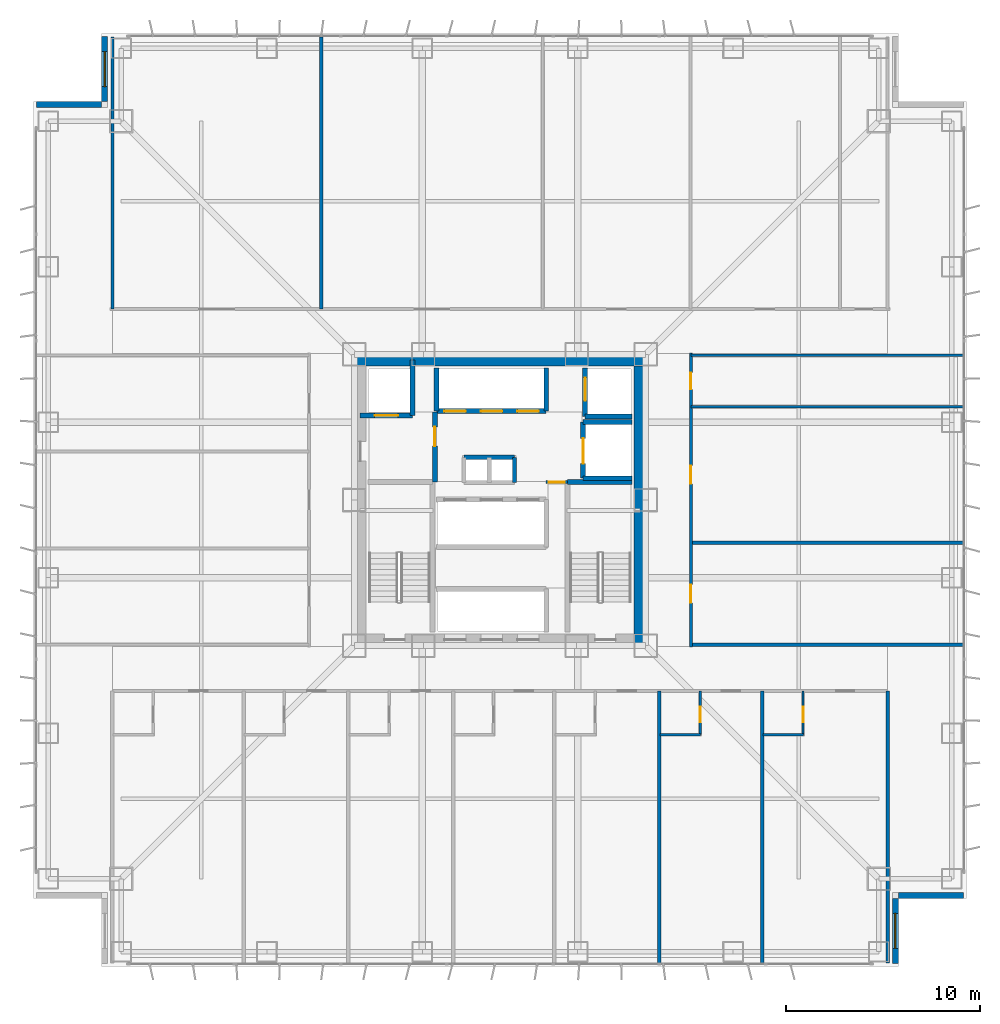
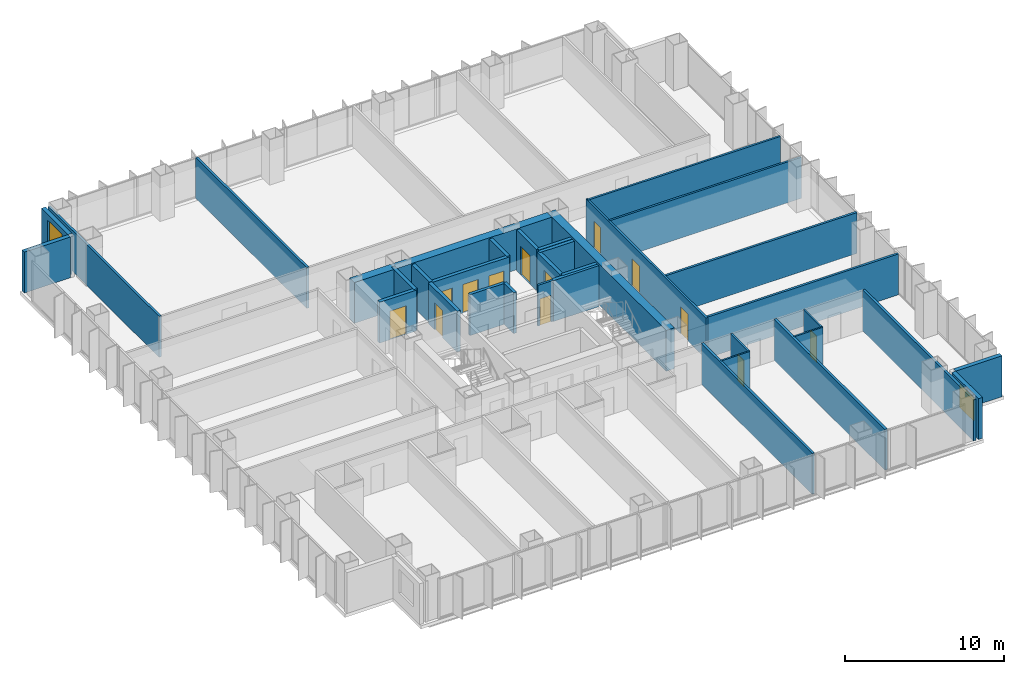
# One storey, part 15 of 19: 35 walls, 13 doors, 2 windows, 15 openings.
"""IFC4 building model written with IfcOpenShell, lengths in metres."""

from ifc_helpers import new_model, si_unit, direction, frame, frame_2d, origin, place, context, subcontext, project, spatial, rectangle, extrude, material, layer, layer_set, type_object, element, fill, save


model = new_model("IFC4")

# Units and contexts
model_context = context("Model", 3, precision=1e-05, world=origin(), true_north=direction((0.0, 1.0)))
body_context = subcontext(model_context, "Body", "Model", "MODEL_VIEW")
ifc_project = project(units=[si_unit("LENGTHUNIT", "METRE"), si_unit("AREAUNIT", "SQUARE_METRE"), si_unit("VOLUMEUNIT", "CUBIC_METRE"), si_unit("PLANEANGLEUNIT", "RADIAN"), si_unit("MASSUNIT", "GRAM", prefix="KILO")], contexts=[model_context])

# Site, building, storey
site_placement = place(None, origin())
site = spatial("IfcSite", under=ifc_project, at=site_placement, CompositionType="ELEMENT")
building_placement = place(site_placement, origin())
building = spatial("IfcBuilding", under=site, at=building_placement, Name="Trevonay Congress Spire", CompositionType="ELEMENT")
storey_placement = place(building_placement, frame((0.0, 0.0, 79.5)))
storey = spatial("IfcBuildingStorey", under=building, at=storey_placement, Name="L20", CompositionType="ELEMENT", Elevation=79.5)

# Wall, opening, door
ifc_material_1 = material(Name="Concrete C40/50", Category="concrete")
ifc_layer_1 = layer(ifc_material_1, 0.1201171875, Name="Concrete C40/50")
ifc_layer_set_1 = layer_set([ifc_layer_1], Name="Concrete C40/50")
wall_type_1 = type_object("IfcWallType", Name="WAL-BATH-120", PredefinedType="PLUMBINGWALL", material=ifc_layer_set_1)
wall_1_placement = place(storey_placement, frame((10.300048828125, -12.080078125, 0.0), z_axis=(0.0, 0.0, 1.0), x_axis=(0.0, 1.0, 0.0)))
wall_1 = element("IfcWall", 1, at=wall_1_placement, inside=storey, type_object=wall_type_1, Name="L20 interior wall WH-L20S-BS6", PredefinedType="PLUMBINGWALL", context=body_context, shape_type="SweptSolid", body=[
    extrude(rectangle(XDim=2.25, YDim=0.1201171875, at=frame_2d((1.125, 0.0))), origin(), (0.0, 0.0, 1.0), 3.14990234375),
])
opening_1_placement = place(wall_1_placement, frame((0.64990234375, 0.0, 0.0)))
opening_1 = element("IfcOpeningElement", 2, at=opening_1_placement, cuts=wall_1, Name="Opening D11", PredefinedType="OPENING", context=body_context, shape_type="SweptSolid", body=[
    extrude(rectangle(XDim=0.800048828125, YDim=2.050048828125, at=frame_2d((0.39990234375, 1.02490234375))), frame((0.0, 0.070068359375, 0.0), z_axis=(0.0, -1.0, 0.0), x_axis=(1.0, 0.0, 0.0)), (0.0, 0.0, 1.0), 0.14013671875),
])
ifc_material_2 = material(Name="Pale Anodised Aluminium EN AW-6063-T6", Category="aluminium")
door_type_1 = type_object("IfcDoorType", Name="DOR-BATH-80", OperationType="NOTDEFINED", PredefinedType="DOOR", material=ifc_material_2)
door_1_placement = place(opening_1_placement, origin())
door_1 = element("IfcDoor", 3, at=door_1_placement, inside=storey, type_object=door_type_1, Name="L20 En-suite Bathroom Door", OperationType="SINGLE_SWING_RIGHT", OverallHeight=2.050048828125, OverallWidth=0.800048828125, PredefinedType="DOOR", context=body_context, shape_type="SweptSolid", body=[
    extrude(rectangle(XDim=0.800048828125, YDim=2.050048828125, at=frame_2d((0.39990234375, 1.02490234375))), frame((0.0, 0.02490234375, 0.0), z_axis=(0.0, -1.0, 0.0), x_axis=(1.0, 0.0, 0.0)), (0.0, 0.0, 1.0), 0.050048828125),
])
fill(opening_1, door_1)

# Wall
wall_2_placement = place(storey_placement, frame((8.22998046875, -12.080078125, 0.0), z_axis=(0.0, 0.0, 1.0), x_axis=(1.0, 0.0, 0.0)))
element("IfcWall", 4, at=wall_2_placement, inside=storey, type_object=wall_type_1, Name="L20 interior wall WH-L20S-BF6", PredefinedType="PLUMBINGWALL", context=body_context, shape_type="SweptSolid", body=[
    extrude(rectangle(XDim=2.10009765625, YDim=0.1201171875, at=frame_2d((1.050048828125, 0.0))), origin(), (0.0, 0.0, 1.0), 3.14990234375),
])

# Wall, opening, door
wall_3_placement = place(storey_placement, frame((15.60009765625, -12.080078125, 0.0), z_axis=(0.0, 0.0, 1.0), x_axis=(0.0, 1.0, 0.0)))
wall_3 = element("IfcWall", 5, at=wall_3_placement, inside=storey, type_object=wall_type_1, Name="L20 interior wall WH-L20S-BS7", PredefinedType="PLUMBINGWALL", context=body_context, shape_type="SweptSolid", body=[
    extrude(rectangle(XDim=2.25, YDim=0.1201171875, at=frame_2d((1.125, 0.0))), origin(), (0.0, 0.0, 1.0), 3.14990234375),
])
opening_2_placement = place(wall_3_placement, frame((0.64990234375, 0.0, 0.0)))
opening_2 = element("IfcOpeningElement", 6, at=opening_2_placement, cuts=wall_3, Name="Opening D11", PredefinedType="OPENING", context=body_context, shape_type="SweptSolid", body=[
    extrude(rectangle(XDim=0.800048828125, YDim=2.050048828125, at=frame_2d((0.39990234375, 1.02490234375))), frame((0.0, 0.070068359375, 0.0), z_axis=(0.0, -1.0, 0.0), x_axis=(1.0, 0.0, 0.0)), (0.0, 0.0, 1.0), 0.14013671875),
])
door_2_placement = place(opening_2_placement, origin())
door_2 = element("IfcDoor", 7, at=door_2_placement, inside=storey, type_object=door_type_1, Name="L20 En-suite Bathroom Door", OperationType="SINGLE_SWING_LEFT", OverallHeight=2.050048828125, OverallWidth=0.800048828125, PredefinedType="DOOR", context=body_context, shape_type="SweptSolid", body=[
    extrude(rectangle(XDim=0.800048828125, YDim=2.050048828125, at=frame_2d((0.39990234375, 1.02490234375))), frame((0.0, 0.02490234375, 0.0), z_axis=(0.0, -1.0, 0.0), x_axis=(1.0, 0.0, 0.0)), (0.0, 0.0, 1.0), 0.050048828125),
])
fill(opening_2, door_2)

# Walls
wall_4_placement = place(storey_placement, frame((13.530029296875, -12.080078125, 0.0), z_axis=(0.0, 0.0, 1.0), x_axis=(1.0, 0.0, 0.0)))
element("IfcWall", 8, at=wall_4_placement, inside=storey, type_object=wall_type_1, Name="L20 interior wall WH-L20S-BF7", PredefinedType="PLUMBINGWALL", context=body_context, shape_type="SweptSolid", body=[
    extrude(rectangle(XDim=2.099853515625, YDim=0.1201171875, at=frame_2d((1.0498046875, 0.0))), origin(), (0.0, 0.0, 1.0), 3.14990234375),
])
ifc_material_3 = material(Name="Concrete C60/75", Category="concrete")
ifc_layer_2 = layer(ifc_material_3, 0.60009765625, Name="Concrete C60/75")
ifc_layer_set_2 = layer_set([ifc_layer_2], Name="Concrete C60/75")
wall_type_2 = type_object("IfcWallType", Name="WAL-CORE-600", PredefinedType="SHEAR", material=ifc_layer_set_2)
for number, where, z_axis, x_axis, name in (
    (9, (-7.5, 7.199951171875, 0.0), (0.0, 0.0, 1.0), (1.0, 0.0, 0.0), "L20 North structural core shear wall"),
    (10, (7.199951171875, -7.5, 0.0), (0.0, 0.0, 1.0), (0.0, 1.0, 0.0), "L20 East structural core shear wall"),
):
    element("IfcWall", number, at=place(storey_placement, frame(where, z_axis=z_axis, x_axis=x_axis)), inside=storey, type_object=wall_type_2, Name=name, PredefinedType="SHEAR", context=body_context, shape_type="SweptSolid", body=[
        extrude(rectangle(XDim=15.0, YDim=0.60009765625, at=frame_2d((7.5, 0.0))), origin(), (0.0, 0.0, 1.0), 3.14990234375),
    ])

# Wall, openings, doors
ifc_layer_3 = layer(ifc_material_1, 0.14990234375, Name="Concrete C40/50")
ifc_layer_set_3 = layer_set([ifc_layer_3], Name="Concrete C40/50")
wall_type_3 = type_object("IfcWallType", Name="WAL-CORR-150", PredefinedType="PARTITIONING", material=ifc_layer_set_3)
wall_5_placement = place(storey_placement, frame((9.830078125, -7.570068359375, 0.0), z_axis=(0.0, 0.0, 1.0), x_axis=(0.0, 1.0, 0.0)))
wall_5 = element("IfcWall", 11, at=wall_5_placement, inside=storey, type_object=wall_type_3, Name="L20 interior wall WP-L20E-COR", PredefinedType="PARTITIONING", context=body_context, shape_type="SweptSolid", body=[
    extrude(rectangle(XDim=15.14013671875, YDim=0.14990234375, at=frame_2d((7.570068359375, 0.0))), origin(), (0.0, 0.0, 1.0), 3.14990234375),
])
opening_3_placement = place(wall_5_placement, frame((2.27001953125, 0.0, 0.0)))
opening_3 = element("IfcOpeningElement", 12, at=opening_3_placement, cuts=wall_5, Name="Opening D07", PredefinedType="OPENING", context=body_context, shape_type="SweptSolid", body=[
    extrude(rectangle(XDim=0.949951171875, YDim=2.06005859375, at=frame_2d((0.47509765625, 1.030029296875))), frame((0.0, 0.0849609375, 0.0), z_axis=(0.0, -1.0, 0.0), x_axis=(1.0, 0.0, 0.0)), (0.0, 0.0, 1.0), 0.169921875),
])
opening_4_placement = place(wall_5_placement, frame((8.39501953125, 0.0, 0.0)))
opening_4 = element("IfcOpeningElement", 13, at=opening_4_placement, cuts=wall_5, Name="Opening D07", PredefinedType="OPENING", context=body_context, shape_type="SweptSolid", body=[
    extrude(rectangle(XDim=0.949951171875, YDim=2.06005859375, at=frame_2d((0.47509765625, 1.030029296875))), frame((0.0, 0.0849609375, 0.0), z_axis=(0.0, -1.0, 0.0), x_axis=(1.0, 0.0, 0.0)), (0.0, 0.0, 1.0), 0.169921875),
])
opening_5_placement = place(wall_5_placement, frame((13.27001953125, 0.0, 0.0)))
opening_5 = element("IfcOpeningElement", 14, at=opening_5_placement, cuts=wall_5, Name="Opening D10", PredefinedType="OPENING", context=body_context, shape_type="SweptSolid", body=[
    extrude(rectangle(XDim=0.85009765625, YDim=2.050048828125, at=frame_2d((0.425048828125, 1.02490234375))), frame((0.0, 0.0849609375, 0.0), z_axis=(0.0, -1.0, 0.0), x_axis=(1.0, 0.0, 0.0)), (0.0, 0.0, 1.0), 0.169921875),
])
door_type_2 = type_object("IfcDoorType", Name="DOR-OFFICE-95", OperationType="NOTDEFINED", PredefinedType="DOOR", material=ifc_material_2)
door_3_placement = place(opening_3_placement, origin())
door_3 = element("IfcDoor", 15, at=door_3_placement, inside=storey, type_object=door_type_2, Name="L20 Housekeeping and Linen Room Door", OperationType="SINGLE_SWING_LEFT", OverallHeight=2.06005859375, OverallWidth=0.949951171875, PredefinedType="DOOR", context=body_context, shape_type="SweptSolid", body=[
    extrude(rectangle(XDim=0.949951171875, YDim=2.06005859375, at=frame_2d((0.47509765625, 1.030029296875))), frame((0.0, 0.02490234375, 0.0), z_axis=(0.0, -1.0, 0.0), x_axis=(1.0, 0.0, 0.0)), (0.0, 0.0, 1.0), 0.050048828125),
])
fill(opening_3, door_3)
door_4_placement = place(opening_4_placement, origin())
door_4 = element("IfcDoor", 16, at=door_4_placement, inside=storey, type_object=door_type_2, Name="L20 Penthouse Wine Pantry Door", OperationType="SINGLE_SWING_RIGHT", OverallHeight=2.06005859375, OverallWidth=0.949951171875, PredefinedType="DOOR", context=body_context, shape_type="SweptSolid", body=[
    extrude(rectangle(XDim=0.949951171875, YDim=2.06005859375, at=frame_2d((0.47509765625, 1.030029296875))), frame((0.0, 0.02490234375, 0.0), z_axis=(0.0, -1.0, 0.0), x_axis=(1.0, 0.0, 0.0)), (0.0, 0.0, 1.0), 0.050048828125),
])
fill(opening_4, door_4)
door_type_3 = type_object("IfcDoorType", Name="DOR-WC-85", OperationType="NOTDEFINED", PredefinedType="DOOR", material=ifc_material_2)
door_5_placement = place(opening_5_placement, origin())
door_5 = element("IfcDoor", 17, at=door_5_placement, inside=storey, type_object=door_type_3, Name="L20 Staff Restroom WC Door", OperationType="SINGLE_SWING_LEFT", OverallHeight=2.050048828125, OverallWidth=0.85009765625, PredefinedType="DOOR", context=body_context, shape_type="SweptSolid", body=[
    extrude(rectangle(XDim=0.85009765625, YDim=2.050048828125, at=frame_2d((0.425048828125, 1.02490234375))), frame((0.0, 0.02490234375, 0.0), z_axis=(0.0, -1.0, 0.0), x_axis=(1.0, 0.0, 0.0)), (0.0, 0.0, 1.0), 0.050048828125),
])
fill(opening_5, door_5)

# Wall, opening, window
ifc_material_4 = material(Name="Precast concrete C40/50", Category="concrete")
ifc_layer_4 = layer(ifc_material_4, 0.300048828125, Name="Precast concrete C40/50")
ifc_layer_set_4 = layer_set([ifc_layer_4], Name="Precast concrete C40/50")
wall_type_4 = type_object("IfcWallType", Name="WAL-EXT-PRECAST-300", PredefinedType="SOLIDWALL", material=ifc_layer_set_4)
wall_6_placement = place(storey_placement, frame((20.35009765625, -23.85009765625, 0.0), z_axis=(0.0, 0.0, 1.0), x_axis=(0.0, 1.0, 0.0)))
wall_6 = element("IfcWall", 18, at=wall_6_placement, inside=storey, type_object=wall_type_4, Name="L20 SE re-entrant notch exterior wall 1", PredefinedType="SOLIDWALL", context=body_context, shape_type="SweptSolid", body=[
    extrude(rectangle(XDim=3.35009765625, YDim=0.300048828125, at=frame_2d((1.675048828125, 0.0))), origin(), (0.0, 0.0, 1.0), 3.14990234375),
])
opening_6_placement = place(wall_6_placement, frame((0.77490234375, 0.0, 0.89990234375)))
opening_6 = element("IfcOpeningElement", 19, at=opening_6_placement, cuts=wall_6, Name="Opening WN01", PredefinedType="OPENING", context=body_context, shape_type="SweptSolid", body=[
    extrude(rectangle(XDim=1.800048828125, YDim=1.800048828125, at=frame_2d((0.89990234375, 0.89990234375))), frame((0.0, 0.16015625, 0.0), z_axis=(0.0, -1.0, 0.0), x_axis=(1.0, 0.0, 0.0)), (0.0, 0.0, 1.0), 0.320068359375),
])
ifc_material_5 = material(Name="Insulated Low-E Vision Glass IGU", Category="glass")
window_type = type_object("IfcWindowType", Name="WIN-HOTEL-180X180", PartitioningType="SINGLE_PANEL", PredefinedType="WINDOW", material=ifc_material_5)
window_1_placement = place(opening_6_placement, origin())
window_1 = element("IfcWindow", 20, at=window_1_placement, inside=storey, type_object=window_type, Name="L20 SE corner notch window", OverallHeight=1.800048828125, OverallWidth=1.800048828125, PartitioningType="SINGLE_PANEL", PredefinedType="WINDOW", context=body_context, shape_type="SweptSolid", body=[
    extrude(rectangle(XDim=1.800048828125, YDim=1.800048828125, at=frame_2d((0.89990234375, 0.89990234375))), frame((0.0, 0.030029296875, 0.0), z_axis=(0.0, -1.0, 0.0), x_axis=(1.0, 0.0, 0.0)), (0.0, 0.0, 1.0), 0.06005859375),
])
fill(opening_6, window_1)

# Wall
wall_7_placement = place(storey_placement, frame((23.85009765625, -20.35009765625, 0.0), z_axis=(0.0, 0.0, 1.0), x_axis=(-1.0, 0.0, 0.0)))
element("IfcWall", 21, at=wall_7_placement, inside=storey, type_object=wall_type_4, Name="L20 SE re-entrant notch exterior wall 2", PredefinedType="SOLIDWALL", context=body_context, shape_type="SweptSolid", body=[
    extrude(rectangle(XDim=3.35009765625, YDim=0.300048828125, at=frame_2d((1.675048828125, 0.0))), origin(), (0.0, 0.0, 1.0), 3.14990234375),
])

# Wall, opening, window
wall_8_placement = place(storey_placement, frame((-20.35009765625, 23.85009765625, 0.0), z_axis=(0.0, 0.0, 1.0), x_axis=(0.0, -1.0, 0.0)))
wall_8 = element("IfcWall", 22, at=wall_8_placement, inside=storey, type_object=wall_type_4, Name="L20 NW re-entrant notch exterior wall 1", PredefinedType="SOLIDWALL", context=body_context, shape_type="SweptSolid", body=[
    extrude(rectangle(XDim=3.35009765625, YDim=0.300048828125, at=frame_2d((1.675048828125, 0.0))), origin(), (0.0, 0.0, 1.0), 3.14990234375),
])
opening_7_placement = place(wall_8_placement, frame((0.77490234375, 0.0, 0.89990234375)))
opening_7 = element("IfcOpeningElement", 23, at=opening_7_placement, cuts=wall_8, Name="Opening WN01", PredefinedType="OPENING", context=body_context, shape_type="SweptSolid", body=[
    extrude(rectangle(XDim=1.800048828125, YDim=1.800048828125, at=frame_2d((0.89990234375, 0.89990234375))), frame((0.0, 0.16015625, 0.0), z_axis=(0.0, -1.0, 0.0), x_axis=(1.0, 0.0, 0.0)), (0.0, 0.0, 1.0), 0.320068359375),
])
window_2_placement = place(opening_7_placement, origin())
window_2 = element("IfcWindow", 24, at=window_2_placement, inside=storey, type_object=window_type, Name="L20 NW corner notch window", OverallHeight=1.800048828125, OverallWidth=1.800048828125, PartitioningType="SINGLE_PANEL", PredefinedType="WINDOW", context=body_context, shape_type="SweptSolid", body=[
    extrude(rectangle(XDim=1.800048828125, YDim=1.800048828125, at=frame_2d((0.89990234375, 0.89990234375))), frame((0.0, 0.030029296875, 0.0), z_axis=(0.0, -1.0, 0.0), x_axis=(1.0, 0.0, 0.0)), (0.0, 0.0, 1.0), 0.06005859375),
])
fill(opening_7, window_2)

# Walls
wall_9_placement = place(storey_placement, frame((-23.85009765625, 20.35009765625, 0.0), z_axis=(0.0, 0.0, 1.0), x_axis=(1.0, 0.0, 0.0)))
element("IfcWall", 25, at=wall_9_placement, inside=storey, type_object=wall_type_4, Name="L20 NW re-entrant notch exterior wall 2", PredefinedType="SOLIDWALL", context=body_context, shape_type="SweptSolid", body=[
    extrude(rectangle(XDim=3.35009765625, YDim=0.300048828125, at=frame_2d((1.675048828125, 0.0))), origin(), (0.0, 0.0, 1.0), 3.14990234375),
])
ifc_layer_5 = layer(ifc_material_1, 0.179931640625, Name="Concrete C40/50")
ifc_layer_set_5 = layer_set([ifc_layer_5], Name="Concrete C40/50")
wall_type_5 = type_object("IfcWallType", Name="WAL-HOTEL-180", PredefinedType="PARTITIONING", material=ifc_layer_set_5)
for number, where, z_axis, x_axis, name in (
    (26, (8.199951171875, -23.820068359375, 0.0), (0.0, 0.0, 1.0), (0.0, 1.0, 0.0), "L20 interior wall WH-L20S-DIV6"),
    (27, (13.5, -23.820068359375, 0.0), (0.0, 0.0, 1.0), (0.0, 1.0, 0.0), "L20 interior wall WH-L20S-DIV7"),
    (28, (19.949951171875, -23.820068359375, 0.0), (0.0, 0.0, 1.0), (0.0, 1.0, 0.0), "L20 interior wall WH-L20S-DIV8"),
):
    element("IfcWall", number, at=place(storey_placement, frame(where, z_axis=z_axis, x_axis=x_axis)), inside=storey, type_object=wall_type_5, Name=name, PredefinedType="PARTITIONING", context=body_context, shape_type="SweptSolid", body=[
        extrude(rectangle(XDim=13.989990234375, YDim=0.179931640625, at=frame_2d((6.9951171875, 0.0))), origin(), (0.0, 0.0, 1.0), 3.14990234375),
    ])

# Wall, opening, door
ifc_layer_6 = layer(ifc_material_1, 0.14990234375, Name="Concrete C40/50")
ifc_layer_set_6 = layer_set([ifc_layer_6], Name="Concrete C40/50")
wall_type_6 = type_object("IfcWallType", Name="WAL-PART-150", PredefinedType="PARTITIONING", material=ifc_layer_set_6)
wall_10_placement = place(storey_placement, frame((2.3798828125, 0.919921875, 0.0), z_axis=(0.0, 0.0, 1.0), x_axis=(1.0, 0.0, 0.0)))
wall_10 = element("IfcWall", 29, at=wall_10_placement, inside=storey, type_object=wall_type_6, Name="L20 interior wall CW-CSRV-N-L20", PredefinedType="PARTITIONING", context=body_context, shape_type="SweptSolid", body=[
    extrude(rectangle(XDim=1.090087890625, YDim=0.14990234375, at=frame_2d((0.544921875, 0.0))), origin(), (0.0, 0.0, 1.0), 3.14990234375),
])
opening_8_placement = place(wall_10_placement, frame((0.135009765625, 0.0, 0.0)))
opening_8 = element("IfcOpeningElement", 30, at=opening_8_placement, cuts=wall_10, Name="Opening D13", PredefinedType="OPENING", context=body_context, shape_type="SweptSolid", body=[
    extrude(rectangle(XDim=0.820068359375, YDim=2.050048828125, at=frame_2d((0.41015625, 1.02490234375))), frame((0.0, 0.0849609375, 0.0), z_axis=(0.0, -1.0, 0.0), x_axis=(1.0, 0.0, 0.0)), (0.0, 0.0, 1.0), 0.169921875),
])
ifc_material_6 = material(Name="Steel ASTM A572 Grade 50", Category="steel")
door_type_4 = type_object("IfcDoorType", Name="DOR-UTIL-80", OperationType="NOTDEFINED", PredefinedType="DOOR", material=ifc_material_6)
door_6_placement = place(opening_8_placement, origin())
door_6 = element("IfcDoor", 31, at=door_6_placement, inside=storey, type_object=door_type_4, Name="L20 Core Service Pocket Door", OperationType="SINGLE_SWING_RIGHT", OverallHeight=2.050048828125, OverallWidth=0.820068359375, PredefinedType="DOOR", context=body_context, shape_type="SweptSolid", body=[
    extrude(rectangle(XDim=0.820068359375, YDim=2.050048828125, at=frame_2d((0.41015625, 1.02490234375))), frame((0.0, 0.02490234375, 0.0), z_axis=(0.0, -1.0, 0.0), x_axis=(1.0, 0.0, 0.0)), (0.0, 0.0, 1.0), 0.050048828125),
])
fill(opening_8, door_6)

# Walls
for number, where, z_axis, x_axis, name in (
    (32, (9.830078125, 4.800048828125, 0.0), (0.0, 0.0, 1.0), (1.0, 0.0, 0.0), "L20 interior wall WP-L20E-DIV3"),
    (33, (9.830078125, 7.449951171875, 0.0), (0.0, 0.0, 1.0), (1.0, 0.0, 0.0), "L20 interior wall WP-L20E-DIV4"),
):
    element("IfcWall", number, at=place(storey_placement, frame(where, z_axis=z_axis, x_axis=x_axis)), inside=storey, type_object=wall_type_6, Name=name, PredefinedType="PARTITIONING", context=body_context, shape_type="SweptSolid", body=[
        extrude(rectangle(XDim=13.989990234375, YDim=0.14990234375, at=frame_2d((6.9951171875, 0.0))), origin(), (0.0, 0.0, 1.0), 3.14990234375),
    ])
ifc_layer_7 = layer(ifc_material_1, 0.219970703125, Name="Concrete C40/50")
ifc_layer_set_7 = layer_set([ifc_layer_7], Name="Concrete C40/50")
wall_type_7 = type_object("IfcWallType", Name="WAL-SHAFT-220", PredefinedType="PARTITIONING", material=ifc_layer_set_7)
wall_11_placement = place(storey_placement, frame((-1.85009765625, 2.199951171875, 0.0), z_axis=(0.0, 0.0, 1.0), x_axis=(1.0, 0.0, 0.0)))
element("IfcWall", 34, at=wall_11_placement, inside=storey, type_object=wall_type_7, Name="L20 interior shaft wall WSH-L20-RSR-N", PredefinedType="PARTITIONING", context=body_context, shape_type="SweptSolid", body=[
    extrude(rectangle(XDim=2.60009765625, YDim=0.219970703125, at=frame_2d((1.300048828125, 0.0))), origin(), (0.0, 0.0, 1.0), 3.14990234375),
])
wall_12_placement = place(storey_placement, frame((0.75, 0.89990234375, 0.0), z_axis=(0.0, 0.0, 1.0), x_axis=(0.0, 1.0, 0.0)))
element("IfcWall", 35, at=wall_12_placement, inside=storey, type_object=wall_type_7, Name="L20 interior shaft wall WSH-L20-RSR-E", PredefinedType="PARTITIONING", context=body_context, shape_type="SweptSolid", body=[
    extrude(rectangle(XDim=1.300048828125, YDim=0.219970703125, at=frame_2d((0.64990234375, 0.0))), origin(), (0.0, 0.0, 1.0), 3.14990234375),
])

# Wall, openings, doors
ifc_layer_8 = layer(ifc_material_1, 0.25, Name="Concrete C40/50")
ifc_layer_set_8 = layer_set([ifc_layer_8], Name="Concrete C40/50")
wall_type_8 = type_object("IfcWallType", Name="WAL-SHAFT-250", PredefinedType="SHEAR", material=ifc_layer_set_8)
wall_13_placement = place(storey_placement, frame((-3.260009765625, 4.580078125, 0.0), z_axis=(0.0, 0.0, 1.0), x_axis=(1.0, 0.0, 0.0)))
wall_13 = element("IfcWall", 36, at=wall_13_placement, inside=storey, type_object=wall_type_8, Name="L20 interior shaft wall WSH-L20-B3-S", PredefinedType="SHEAR", context=body_context, shape_type="SweptSolid", body=[
    extrude(rectangle(XDim=5.639892578125, YDim=0.25, at=frame_2d((2.81982421875, 0.0))), origin(), (0.0, 0.0, 1.0), 3.14990234375),
])
opening_9_placement = place(wall_13_placement, frame((0.39990234375, 0.0, 0.0)))
opening_9 = element("IfcOpeningElement", 37, at=opening_9_placement, cuts=wall_13, Name="Opening LD03", PredefinedType="OPENING", context=body_context, shape_type="SweptSolid", body=[
    extrude(rectangle(XDim=1.10009765625, YDim=2.199951171875, at=frame_2d((0.550048828125, 1.10009765625))), frame((0.0, 0.135009765625, 0.0), z_axis=(0.0, -1.0, 0.0), x_axis=(1.0, 0.0, 0.0)), (0.0, 0.0, 1.0), 0.27001953125),
])
opening_10_placement = place(wall_13_placement, frame((2.280029296875, 0.0, 0.0)))
opening_10 = element("IfcOpeningElement", 38, at=opening_10_placement, cuts=wall_13, Name="Opening LD03", PredefinedType="OPENING", context=body_context, shape_type="SweptSolid", body=[
    extrude(rectangle(XDim=1.10009765625, YDim=2.199951171875, at=frame_2d((0.550048828125, 1.10009765625))), frame((0.0, 0.135009765625, 0.0), z_axis=(0.0, -1.0, 0.0), x_axis=(1.0, 0.0, 0.0)), (0.0, 0.0, 1.0), 0.27001953125),
])
opening_11_placement = place(wall_13_placement, frame((4.159912109375, 0.0, 0.0)))
opening_11 = element("IfcOpeningElement", 39, at=opening_11_placement, cuts=wall_13, Name="Opening LD03", PredefinedType="OPENING", context=body_context, shape_type="SweptSolid", body=[
    extrude(rectangle(XDim=1.10009765625, YDim=2.199951171875, at=frame_2d((0.550048828125, 1.10009765625))), frame((0.0, 0.135009765625, 0.0), z_axis=(0.0, -1.0, 0.0), x_axis=(1.0, 0.0, 0.0)), (0.0, 0.0, 1.0), 0.27001953125),
])
door_type_5 = type_object("IfcDoorType", Name="DOR-LIFT-LD03", OperationType="DOUBLE_DOOR_SLIDING", PredefinedType="DOOR", material=ifc_material_2)
door_7_placement = place(opening_9_placement, origin())
door_7 = element("IfcDoor", 40, at=door_7_placement, inside=storey, type_object=door_type_5, Name="L20 Passenger lift PL-07 landing door", OperationType="DOUBLE_DOOR_SLIDING", OverallHeight=2.199951171875, OverallWidth=1.10009765625, PredefinedType="DOOR", context=body_context, shape_type="SweptSolid", body=[
    extrude(rectangle(XDim=1.10009765625, YDim=2.199951171875, at=frame_2d((0.550048828125, 1.10009765625))), frame((0.0, 0.02490234375, 0.0), z_axis=(0.0, -1.0, 0.0), x_axis=(1.0, 0.0, 0.0)), (0.0, 0.0, 1.0), 0.050048828125),
])
fill(opening_9, door_7)
door_8_placement = place(opening_10_placement, origin())
door_8 = element("IfcDoor", 41, at=door_8_placement, inside=storey, type_object=door_type_5, Name="L20 Passenger lift PL-08 landing door", OperationType="DOUBLE_DOOR_SLIDING", OverallHeight=2.199951171875, OverallWidth=1.10009765625, PredefinedType="DOOR", context=body_context, shape_type="SweptSolid", body=[
    extrude(rectangle(XDim=1.10009765625, YDim=2.199951171875, at=frame_2d((0.550048828125, 1.10009765625))), frame((0.0, 0.02490234375, 0.0), z_axis=(0.0, -1.0, 0.0), x_axis=(1.0, 0.0, 0.0)), (0.0, 0.0, 1.0), 0.050048828125),
])
fill(opening_10, door_8)
door_9_placement = place(opening_11_placement, origin())
door_9 = element("IfcDoor", 42, at=door_9_placement, inside=storey, type_object=door_type_5, Name="L20 Passenger lift PL-09 landing door", OperationType="DOUBLE_DOOR_SLIDING", OverallHeight=2.199951171875, OverallWidth=1.10009765625, PredefinedType="DOOR", context=body_context, shape_type="SweptSolid", body=[
    extrude(rectangle(XDim=1.10009765625, YDim=2.199951171875, at=frame_2d((0.550048828125, 1.10009765625))), frame((0.0, 0.02490234375, 0.0), z_axis=(0.0, -1.0, 0.0), x_axis=(1.0, 0.0, 0.0)), (0.0, 0.0, 1.0), 0.050048828125),
])
fill(opening_11, door_9)

# Walls
for number, where, z_axis, x_axis, name in (
    (43, (-3.260009765625, 4.580078125, 0.0), (0.0, 0.0, 1.0), (0.0, 1.0, 0.0), "L20 interior shaft wall WSH-L20-B3-W"),
    (44, (2.3798828125, 4.580078125, 0.0), (0.0, 0.0, 1.0), (0.0, 1.0, 0.0), "L20 interior shaft wall WSH-L20-B3-E"),
):
    element("IfcWall", number, at=place(storey_placement, frame(where, z_axis=z_axis, x_axis=x_axis)), inside=storey, type_object=wall_type_8, Name=name, PredefinedType="SHEAR", context=body_context, shape_type="SweptSolid", body=[
        extrude(rectangle(XDim=2.219970703125, YDim=0.25, at=frame_2d((1.10986328125, 0.0))), origin(), (0.0, 0.0, 1.0), 3.14990234375),
    ])

# Wall, opening, door
wall_14_placement = place(storey_placement, frame((-7.199951171875, 4.35009765625, 0.0), z_axis=(0.0, 0.0, 1.0), x_axis=(1.0, 0.0, 0.0)))
wall_14 = element("IfcWall", 45, at=wall_14_placement, inside=storey, type_object=wall_type_8, Name="L20 interior shaft wall WSH-L20-FF1-S", PredefinedType="SHEAR", context=body_context, shape_type="SweptSolid", body=[
    extrude(rectangle(XDim=2.699951171875, YDim=0.25, at=frame_2d((1.35009765625, 0.0))), origin(), (0.0, 0.0, 1.0), 3.14990234375),
])
opening_12_placement = place(wall_14_placement, frame((0.75, 0.0, 0.0)))
opening_12 = element("IfcOpeningElement", 46, at=opening_12_placement, cuts=wall_14, Name="Opening LD04", PredefinedType="OPENING", context=body_context, shape_type="SweptSolid", body=[
    extrude(rectangle(XDim=1.199951171875, YDim=2.199951171875, at=frame_2d((0.60009765625, 1.10009765625))), frame((0.0, 0.135009765625, 0.0), z_axis=(0.0, -1.0, 0.0), x_axis=(1.0, 0.0, 0.0)), (0.0, 0.0, 1.0), 0.27001953125),
])
door_type_6 = type_object("IfcDoorType", Name="DOR-LIFT-LD04", OperationType="DOUBLE_DOOR_SLIDING", PredefinedType="DOOR", material=ifc_material_6)
door_10_placement = place(opening_12_placement, origin())
door_10 = element("IfcDoor", 47, at=door_10_placement, inside=storey, type_object=door_type_6, Name="L20 Firefighting lift FFL-01 landing door", OperationType="DOUBLE_DOOR_SLIDING", OverallHeight=2.199951171875, OverallWidth=1.199951171875, PredefinedType="DOOR", context=body_context, shape_type="SweptSolid", body=[
    extrude(rectangle(XDim=1.199951171875, YDim=2.199951171875, at=frame_2d((0.60009765625, 1.10009765625))), frame((0.0, 0.02490234375, 0.0), z_axis=(0.0, -1.0, 0.0), x_axis=(1.0, 0.0, 0.0)), (0.0, 0.0, 1.0), 0.050048828125),
])
fill(opening_12, door_10)

# Walls
wall_15_placement = place(storey_placement, frame((-4.5, 4.35009765625, 0.0), z_axis=(0.0, 0.0, 1.0), x_axis=(0.0, 1.0, 0.0)))
element("IfcWall", 48, at=wall_15_placement, inside=storey, type_object=wall_type_8, Name="L20 interior shaft wall WSH-L20-FF1-E", PredefinedType="SHEAR", context=body_context, shape_type="SweptSolid", body=[
    extrude(rectangle(XDim=2.849853515625, YDim=0.25, at=frame_2d((1.4248046875, 0.0))), origin(), (0.0, 0.0, 1.0), 3.14990234375),
])
wall_16_placement = place(storey_placement, frame((4.3798828125, 4.300048828125, 0.0), z_axis=(0.0, 0.0, 1.0), x_axis=(1.0, 0.0, 0.0)))
element("IfcWall", 49, at=wall_16_placement, inside=storey, type_object=wall_type_8, Name="L20 interior shaft wall WSH-L20-FF2-S", PredefinedType="SHEAR", context=body_context, shape_type="SweptSolid", body=[
    extrude(rectangle(XDim=2.420166015625, YDim=0.25, at=frame_2d((1.2099609375, 0.0))), origin(), (0.0, 0.0, 1.0), 3.14990234375),
])

# Wall, opening, door
wall_17_placement = place(storey_placement, frame((4.3798828125, 4.300048828125, 0.0), z_axis=(0.0, 0.0, 1.0), x_axis=(0.0, 1.0, 0.0)))
wall_17 = element("IfcWall", 50, at=wall_17_placement, inside=storey, type_object=wall_type_8, Name="L20 interior shaft wall WSH-L20-FF2-W", PredefinedType="SHEAR", context=body_context, shape_type="SweptSolid", body=[
    extrude(rectangle(XDim=2.5, YDim=0.25, at=frame_2d((1.25, 0.0))), origin(), (0.0, 0.0, 1.0), 3.14990234375),
])
opening_13_placement = place(wall_17_placement, frame((0.800048828125, 0.0, 0.0)))
opening_13 = element("IfcOpeningElement", 51, at=opening_13_placement, cuts=wall_17, Name="Opening LD04", PredefinedType="OPENING", context=body_context, shape_type="SweptSolid", body=[
    extrude(rectangle(XDim=1.199951171875, YDim=2.199951171875, at=frame_2d((0.60009765625, 1.10009765625))), frame((0.0, 0.135009765625, 0.0), z_axis=(0.0, -1.0, 0.0), x_axis=(1.0, 0.0, 0.0)), (0.0, 0.0, 1.0), 0.27001953125),
])
door_11_placement = place(opening_13_placement, origin())
door_11 = element("IfcDoor", 52, at=door_11_placement, inside=storey, type_object=door_type_6, Name="L20 Firefighting lift FFL-02 landing door", OperationType="DOUBLE_DOOR_SLIDING", OverallHeight=2.199951171875, OverallWidth=1.199951171875, PredefinedType="DOOR", context=body_context, shape_type="SweptSolid", body=[
    extrude(rectangle(XDim=1.199951171875, YDim=2.199951171875, at=frame_2d((0.60009765625, 1.10009765625))), frame((0.0, 0.02490234375, 0.0), z_axis=(0.0, -1.0, 0.0), x_axis=(1.0, 0.0, 0.0)), (0.0, 0.0, 1.0), 0.050048828125),
])
fill(opening_13, door_11)

wall_18_placement = place(storey_placement, frame((4.280029296875, 1.1201171875, 0.0), z_axis=(0.0, 0.0, 1.0), x_axis=(0.0, 1.0, 0.0)))
wall_18 = element("IfcWall", 53, at=wall_18_placement, inside=storey, type_object=wall_type_8, Name="L20 interior shaft wall WSH-L20-SV-W", PredefinedType="SHEAR", context=body_context, shape_type="SweptSolid", body=[
    extrude(rectangle(XDim=2.89990234375, YDim=0.25, at=frame_2d((1.449951171875, 0.0))), origin(), (0.0, 0.0, 1.0), 3.14990234375),
])
opening_14_placement = place(wall_18_placement, frame((0.75, 0.0, 0.0)))
opening_14 = element("IfcOpeningElement", 54, at=opening_14_placement, cuts=wall_18, Name="Opening LD05", PredefinedType="OPENING", context=body_context, shape_type="SweptSolid", body=[
    extrude(rectangle(XDim=1.300048828125, YDim=2.300048828125, at=frame_2d((0.64990234375, 1.14990234375))), frame((0.0, 0.135009765625, 0.0), z_axis=(0.0, -1.0, 0.0), x_axis=(1.0, 0.0, 0.0)), (0.0, 0.0, 1.0), 0.27001953125),
])
door_type_7 = type_object("IfcDoorType", Name="DOR-LIFT-LD05", OperationType="DOUBLE_DOOR_SLIDING", PredefinedType="DOOR", material=ifc_material_6)
door_12_placement = place(opening_14_placement, origin())
door_12 = element("IfcDoor", 55, at=door_12_placement, inside=storey, type_object=door_type_7, Name="L20 Goods lift SVL-01 landing door", OperationType="DOUBLE_DOOR_SLIDING", OverallHeight=2.300048828125, OverallWidth=1.300048828125, PredefinedType="DOOR", context=body_context, shape_type="SweptSolid", body=[
    extrude(rectangle(XDim=1.300048828125, YDim=2.300048828125, at=frame_2d((0.64990234375, 1.14990234375))), frame((0.0, 0.02490234375, 0.0), z_axis=(0.0, -1.0, 0.0), x_axis=(1.0, 0.0, 0.0)), (0.0, 0.0, 1.0), 0.050048828125),
])
fill(opening_14, door_12)

# Walls
for number, where, z_axis, x_axis, name in (
    (56, (4.280029296875, 1.1201171875, 0.0), (0.0, 0.0, 1.0), (1.0, 0.0, 0.0), "L20 interior shaft wall WSH-L20-SV-S"),
    (57, (4.280029296875, 4.02001953125, 0.0), (0.0, 0.0, 1.0), (1.0, 0.0, 0.0), "L20 interior shaft wall WSH-L20-SV-N"),
):
    element("IfcWall", number, at=place(storey_placement, frame(where, z_axis=z_axis, x_axis=x_axis)), inside=storey, type_object=wall_type_8, Name=name, PredefinedType="SHEAR", context=body_context, shape_type="SweptSolid", body=[
        extrude(rectangle(XDim=2.52001953125, YDim=0.25, at=frame_2d((1.260009765625, 0.0))), origin(), (0.0, 0.0, 1.0), 3.14990234375),
    ])

# Wall, opening, door
wall_19_placement = place(storey_placement, frame((-3.35009765625, 0.919921875, 0.0), z_axis=(0.0, 0.0, 1.0), x_axis=(0.0, 1.0, 0.0)))
wall_19 = element("IfcWall", 58, at=wall_19_placement, inside=storey, type_object=wall_type_8, Name="L20 interior wall CW-FFLW-E-L20", PredefinedType="SHEAR", context=body_context, shape_type="SweptSolid", body=[
    extrude(rectangle(XDim=3.6201171875, YDim=0.25, at=frame_2d((1.81005859375, 0.0))), origin(), (0.0, 0.0, 1.0), 3.14990234375),
])
opening_15_placement = place(wall_19_placement, frame((1.85009765625, 0.0, 0.0)))
opening_15 = element("IfcOpeningElement", 59, at=opening_15_placement, cuts=wall_19, Name="Opening D06", PredefinedType="OPENING", context=body_context, shape_type="SweptSolid", body=[
    extrude(rectangle(XDim=1.0, YDim=2.080078125, at=frame_2d((0.5, 1.0400390625))), frame((0.0, 0.135009765625, 0.0), z_axis=(0.0, -1.0, 0.0), x_axis=(1.0, 0.0, 0.0)), (0.0, 0.0, 1.0), 0.27001953125),
])
door_type_8 = type_object("IfcDoorType", Name="DOR-FIRE-100", OperationType="NOTDEFINED", PredefinedType="DOOR", material=ifc_material_6)
door_13_placement = place(opening_15_placement, origin())
door_13 = element("IfcDoor", 60, at=door_13_placement, inside=storey, type_object=door_type_8, Name="L20 Firefighting Core Lobby Transfer Door", OperationType="SINGLE_SWING_LEFT", OverallHeight=2.080078125, OverallWidth=1.0, PredefinedType="DOOR", context=body_context, shape_type="SweptSolid", body=[
    extrude(rectangle(XDim=1.0, YDim=2.080078125, at=frame_2d((0.5, 1.0400390625))), frame((0.0, 0.02490234375, 0.0), z_axis=(0.0, -1.0, 0.0), x_axis=(1.0, 0.0, 0.0)), (0.0, 0.0, 1.0), 0.050048828125),
])
fill(opening_15, door_13)

# Walls
ifc_layer_9 = layer(ifc_material_1, 0.25, Name="Concrete C40/50")
ifc_layer_set_9 = layer_set([ifc_layer_9], Name="Concrete C40/50")
wall_type_9 = type_object("IfcWallType", Name="WAL-SHAFT-LB-250", PredefinedType="SHEAR", material=ifc_layer_set_9)
wall_20_placement = place(storey_placement, frame((3.469970703125, 0.919921875, 0.0), z_axis=(0.0, 0.0, 1.0), x_axis=(1.0, 0.0, 0.0)))
element("IfcWall", 61, at=wall_20_placement, inside=storey, type_object=wall_type_9, Name="L20 interior shaft wall WSH-L20-ST2-N", PredefinedType="SHEAR", context=body_context, shape_type="SweptSolid", body=[
    extrude(rectangle(XDim=3.330078125, YDim=0.25, at=frame_2d((1.6650390625, 0.0))), origin(), (0.0, 0.0, 1.0), 3.14990234375),
])
ifc_layer_10 = layer(ifc_material_1, 0.1650390625, Name="Concrete C40/50")
ifc_layer_set_10 = layer_set([ifc_layer_10], Name="Concrete C40/50")
wall_type_10 = type_object("IfcWallType", Name="WAL-WET-165", PredefinedType="PLUMBINGWALL", material=ifc_layer_set_10)
for number, where, z_axis, x_axis, name in (
    (62, (-19.949951171875, 9.830078125, 0.0), (0.0, 0.0, 1.0), (0.0, 1.0, 0.0), "L20 interior wall WP-L20N-DIV1"),
    (63, (-9.199951171875, 9.830078125, 0.0), (0.0, 0.0, 1.0), (0.0, 1.0, 0.0), "L20 interior wall WP-L20N-DIV2"),
    (64, (9.830078125, -7.449951171875, 0.0), (0.0, 0.0, 1.0), (1.0, 0.0, 0.0), "L20 interior wall WP-L20E-DIV1"),
    (65, (9.830078125, -2.199951171875, 0.0), (0.0, 0.0, 1.0), (1.0, 0.0, 0.0), "L20 interior wall WP-L20E-DIV2"),
):
    element("IfcWall", number, at=place(storey_placement, frame(where, z_axis=z_axis, x_axis=x_axis)), inside=storey, type_object=wall_type_10, Name=name, PredefinedType="PLUMBINGWALL", context=body_context, shape_type="SweptSolid", body=[
        extrude(rectangle(XDim=13.989990234375, YDim=0.1650390625, at=frame_2d((6.9951171875, 0.0))), origin(), (0.0, 0.0, 1.0), 3.14990234375),
    ])

save(model, "model.ifc")
